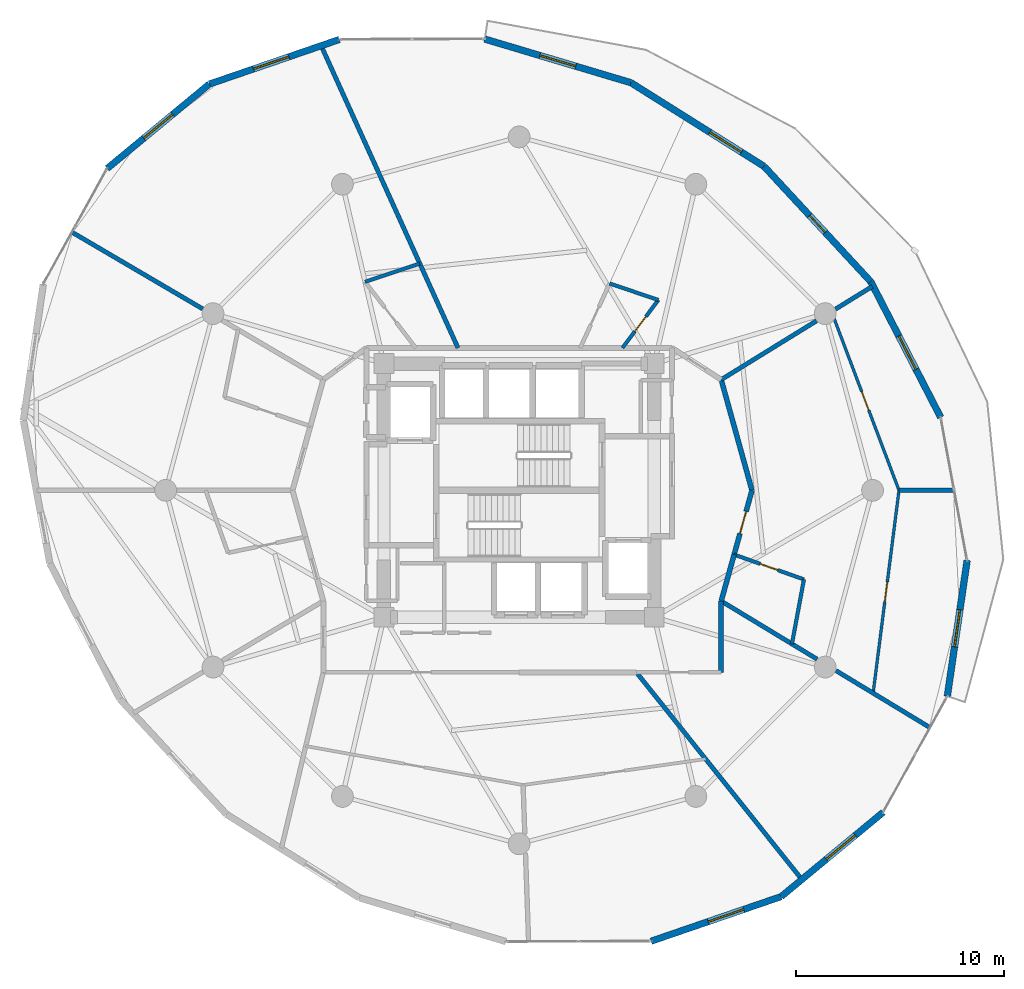
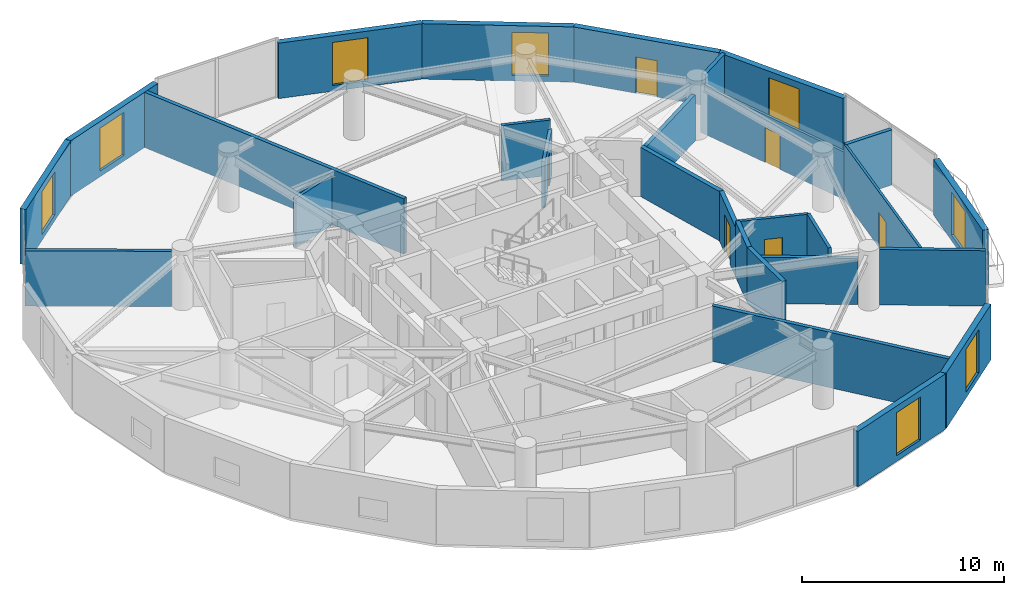
# One storey, part 18 of 21: 28 walls, 8 windows, 6 doors, 14 openings.
"""IFC4 building model written with IfcOpenShell, lengths in metres."""

from ifc_helpers import new_model, si_unit, direction, frame, frame_2d, origin, place, context, subcontext, project, spatial, rectangle, extrude, material, layer, layer_set, type_object, element, fill, save


model = new_model("IFC4")

# Units and contexts
model_context = context("Model", 3, precision=1e-05, world=origin(), true_north=direction((0.0, 1.0)))
body_context = subcontext(model_context, "Body", "Model", "MODEL_VIEW")
ifc_project = project(units=[si_unit("LENGTHUNIT", "METRE"), si_unit("AREAUNIT", "SQUARE_METRE"), si_unit("VOLUMEUNIT", "CUBIC_METRE"), si_unit("PLANEANGLEUNIT", "RADIAN"), si_unit("MASSUNIT", "GRAM", prefix="KILO")], contexts=[model_context])

# Site, building, storey
site_placement = place(None, origin())
site = spatial("IfcSite", under=ifc_project, at=site_placement, CompositionType="ELEMENT")
building_placement = place(site_placement, origin())
building = spatial("IfcBuilding", under=site, at=building_placement, Name="Solvirekh Grand Hotel", CompositionType="ELEMENT")
storey_placement = place(building_placement, frame((0.0, 0.0, 131.39990234375)))
storey = spatial("IfcBuildingStorey", under=building, at=storey_placement, Name="L33", CompositionType="ELEMENT", Elevation=131.39990234375)

# Wall, opening, window
ifc_material_1 = material(Name="Precast concrete C45/55", Category="concrete")
ifc_layer_1 = layer(ifc_material_1, 0.320068359375)
ifc_layer_set_1 = layer_set([ifc_layer_1], Name="Precast concrete C45/55")
wall_type_1 = type_object("IfcWallType", Name="ExtLobbyWall_RC320", PredefinedType="SOLIDWALL", material=ifc_layer_set_1)
wall_1_placement = place(storey_placement, frame((21.549072265625, -3.365966796875, 0.0), z_axis=(0.0, 0.0, 1.0), x_axis=(-0.144273756633, -0.989537812894, 0.0)))
wall_1 = element("IfcWall", 1, at=wall_1_placement, inside=storey, type_object=wall_type_1, Name="L33 exterior structural wall chord 2", PredefinedType="SOLIDWALL", context=body_context, shape_type="SweptSolid", body=[
    extrude(rectangle(XDim=6.613037109375, YDim=0.320068359375, at=frame_2d((3.306640625, 0.0))), origin(), (0.0, 0.0, 1.0), 3.35009765625),
])
opening_1_placement = place(wall_1_placement, frame((2.406982421875, 0.0, 0.35009765625)))
opening_1 = element("IfcOpeningElement", 2, at=opening_1_placement, cuts=wall_1, Name="Opening W02", PredefinedType="OPENING", context=body_context, shape_type="SweptSolid", body=[
    extrude(rectangle(XDim=1.800048828125, YDim=2.60009765625, at=frame_2d((0.89990234375, 1.300048828125))), frame((0.0, 0.169921875, 0.0), z_axis=(0.0, -1.0, 0.0), x_axis=(1.0, 0.0, 0.0)), (0.0, 0.0, 1.0), 0.340087890625),
])
ifc_material_2 = material(Name="Low-E Tinted Bronze Laminated Glass", Category="aluminium")
window_type = type_object("IfcWindowType", Name="Win_LobbyExt_1800X2600", PartitioningType="SINGLE_PANEL", PredefinedType="WINDOW", material=ifc_material_2)
window_1_placement = place(opening_1_placement, origin())
window_1 = element("IfcWindow", 3, at=window_1_placement, inside=storey, type_object=window_type, Name="L33 panoramic bronze-framed window 2", OverallHeight=2.60009765625, OverallWidth=1.800048828125, PartitioningType="SINGLE_PANEL", PredefinedType="WINDOW", context=body_context, shape_type="SweptSolid", body=[
    extrude(rectangle(XDim=1.800048828125, YDim=2.60009765625, at=frame_2d((0.89990234375, 1.300048828125))), frame((0.0, 0.030029296875, 0.0), z_axis=(0.0, -1.0, 0.0), x_axis=(1.0, 0.0, 0.0)), (0.0, 0.0, 1.0), 0.06005859375),
])
fill(opening_1, window_1)

wall_2_placement = place(storey_placement, frame((16.9140625, 10.037109375, 0.0), z_axis=(0.0, 0.0, 1.0), x_axis=(0.458173043938, -0.888863016335, 0.0)))
wall_2 = element("IfcWall", 4, at=wall_2_placement, inside=storey, type_object=wall_type_1, Name="L33 exterior structural wall chord 4", PredefinedType="SOLIDWALL", context=body_context, shape_type="SweptSolid", body=[
    extrude(rectangle(XDim=7.346435546875, YDim=0.320068359375, at=frame_2d((3.67333984375, 0.0))), origin(), (0.0, 0.0, 1.0), 3.35009765625),
])
opening_2_placement = place(wall_2_placement, frame((2.94189453125, 0.0, 0.35009765625)))
opening_2 = element("IfcOpeningElement", 5, at=opening_2_placement, cuts=wall_2, Name="Opening W02", PredefinedType="OPENING", context=body_context, shape_type="SweptSolid", body=[
    extrude(rectangle(XDim=1.800048828125, YDim=2.60009765625, at=frame_2d((0.89990234375, 1.300048828125))), frame((0.0, 0.169921875, 0.0), z_axis=(0.0, -1.0, 0.0), x_axis=(1.0, 0.0, 0.0)), (0.0, 0.0, 1.0), 0.340087890625),
])
window_2_placement = place(opening_2_placement, origin())
window_2 = element("IfcWindow", 6, at=window_2_placement, inside=storey, type_object=window_type, Name="L33 panoramic bronze-framed window 4", OverallHeight=2.60009765625, OverallWidth=1.800048828125, PartitioningType="SINGLE_PANEL", PredefinedType="WINDOW", context=body_context, shape_type="SweptSolid", body=[
    extrude(rectangle(XDim=1.800048828125, YDim=2.60009765625, at=frame_2d((0.89990234375, 1.300048828125))), frame((0.0, 0.030029296875, 0.0), z_axis=(0.0, -1.0, 0.0), x_axis=(1.0, 0.0, 0.0)), (0.0, 0.0, 1.0), 0.06005859375),
])
fill(opening_2, window_2)

# Wall, opening, door
wall_3_placement = place(storey_placement, frame((11.780029296875, 15.5849609375, 0.0), z_axis=(0.0, 0.0, 1.0), x_axis=(0.679203838045, -0.733949689274, 0.0)))
wall_3 = element("IfcWall", 7, at=wall_3_placement, inside=storey, type_object=wall_type_1, Name="L33 exterior structural wall chord 5", PredefinedType="SOLIDWALL", context=body_context, shape_type="SweptSolid", body=[
    extrude(rectangle(XDim=7.558837890625, YDim=0.320068359375, at=frame_2d((3.779296875, 0.0))), origin(), (0.0, 0.0, 1.0), 3.35009765625),
])
opening_3_placement = place(wall_3_placement, frame((3.22900390625, 0.0, 0.0)))
opening_3 = element("IfcOpeningElement", 8, at=opening_3_placement, cuts=wall_3, Name="Opening D03", PredefinedType="OPENING", context=body_context, shape_type="SweptSolid", body=[
    extrude(rectangle(XDim=1.10009765625, YDim=2.199951171875, at=frame_2d((0.550048828125, 1.10009765625))), frame((0.0, 0.169921875, 0.0), z_axis=(0.0, -1.0, 0.0), x_axis=(1.0, 0.0, 0.0)), (0.0, 0.0, 1.0), 0.340087890625),
])
ifc_material_3 = material(Name="Anodized Bronze Aluminium 6063-T6", Category="aluminium")
door_type_1 = type_object("IfcDoorType", Name="Door_ExtBalcony_1100X2200", OperationType="NOTDEFINED", PredefinedType="DOOR", material=ifc_material_3)
door_1_placement = place(opening_3_placement, origin())
door_1 = element("IfcDoor", 9, at=door_1_placement, inside=storey, type_object=door_type_1, Name="L33 Crescent balcony glazed door (5)", OperationType="SINGLE_SWING_RIGHT", OverallHeight=2.199951171875, OverallWidth=1.10009765625, PredefinedType="DOOR", context=body_context, shape_type="SweptSolid", body=[
    extrude(rectangle(XDim=1.10009765625, YDim=2.199951171875, at=frame_2d((0.550048828125, 1.10009765625))), frame((0.0, 0.02490234375, 0.0), z_axis=(0.0, -1.0, 0.0), x_axis=(1.0, 0.0, 0.0)), (0.0, 0.0, 1.0), 0.050048828125),
])
fill(opening_3, door_1)

# Wall, opening, window
wall_4_placement = place(storey_placement, frame((5.37890625, 19.60693359375, 0.0), z_axis=(0.0, 0.0, 1.0), x_axis=(0.84673132195, -0.5320207406, 0.0)))
wall_4 = element("IfcWall", 10, at=wall_4_placement, inside=storey, type_object=wall_type_1, Name="L33 exterior structural wall chord 6", PredefinedType="SOLIDWALL", context=body_context, shape_type="SweptSolid", body=[
    extrude(rectangle(XDim=7.559814453125, YDim=0.320068359375, at=frame_2d((3.77978515625, 0.0))), origin(), (0.0, 0.0, 1.0), 3.35009765625),
])
opening_4_placement = place(wall_4_placement, frame((4.47900390625, 0.0, 0.35009765625)))
opening_4 = element("IfcOpeningElement", 11, at=opening_4_placement, cuts=wall_4, Name="Opening W02", PredefinedType="OPENING", context=body_context, shape_type="SweptSolid", body=[
    extrude(rectangle(XDim=1.800048828125, YDim=2.60009765625, at=frame_2d((0.89990234375, 1.300048828125))), frame((0.0, 0.169921875, 0.0), z_axis=(0.0, -1.0, 0.0), x_axis=(1.0, 0.0, 0.0)), (0.0, 0.0, 1.0), 0.340087890625),
])
window_3_placement = place(opening_4_placement, origin())
window_3 = element("IfcWindow", 12, at=window_3_placement, inside=storey, type_object=window_type, Name="L33 panoramic bronze-framed window 6", OverallHeight=2.60009765625, OverallWidth=1.800048828125, PartitioningType="SINGLE_PANEL", PredefinedType="WINDOW", context=body_context, shape_type="SweptSolid", body=[
    extrude(rectangle(XDim=1.800048828125, YDim=2.60009765625, at=frame_2d((0.89990234375, 1.300048828125))), frame((0.0, 0.030029296875, 0.0), z_axis=(0.0, -1.0, 0.0), x_axis=(1.0, 0.0, 0.0)), (0.0, 0.0, 1.0), 0.06005859375),
])
fill(opening_4, window_3)

wall_5_placement = place(storey_placement, frame((-1.659912109375, 21.708984375, 0.0), z_axis=(0.0, 0.0, 1.0), x_axis=(0.958185017538, -0.286149387847, 0.0)))
wall_5 = element("IfcWall", 13, at=wall_5_placement, inside=storey, type_object=wall_type_1, Name="L33 exterior structural wall chord 7", PredefinedType="SOLIDWALL", context=body_context, shape_type="SweptSolid", body=[
    extrude(rectangle(XDim=7.345947265625, YDim=0.320068359375, at=frame_2d((3.6728515625, 0.0))), origin(), (0.0, 0.0, 1.0), 3.35009765625),
])
opening_5_placement = place(wall_5_placement, frame((2.77294921875, 0.0, 0.35009765625)))
opening_5 = element("IfcOpeningElement", 14, at=opening_5_placement, cuts=wall_5, Name="Opening W02", PredefinedType="OPENING", context=body_context, shape_type="SweptSolid", body=[
    extrude(rectangle(XDim=1.800048828125, YDim=2.60009765625, at=frame_2d((0.89990234375, 1.300048828125))), frame((0.0, 0.169921875, 0.0), z_axis=(0.0, -1.0, 0.0), x_axis=(1.0, 0.0, 0.0)), (0.0, 0.0, 1.0), 0.340087890625),
])
window_4_placement = place(opening_5_placement, origin())
window_4 = element("IfcWindow", 15, at=window_4_placement, inside=storey, type_object=window_type, Name="L33 panoramic bronze-framed window 7", OverallHeight=2.60009765625, OverallWidth=1.800048828125, PartitioningType="SINGLE_PANEL", PredefinedType="WINDOW", context=body_context, shape_type="SweptSolid", body=[
    extrude(rectangle(XDim=1.800048828125, YDim=2.60009765625, at=frame_2d((0.89990234375, 1.300048828125))), frame((0.0, 0.030029296875, 0.0), z_axis=(0.0, -1.0, 0.0), x_axis=(1.0, 0.0, 0.0)), (0.0, 0.0, 1.0), 0.06005859375),
])
fill(opening_5, window_4)

wall_6_placement = place(storey_placement, frame((-14.904052734375, 19.5419921875, 0.0), z_axis=(0.0, 0.0, 1.0), x_axis=(0.945927174226, 0.324379070011, 0.0)))
wall_6 = element("IfcWall", 16, at=wall_6_placement, inside=storey, type_object=wall_type_1, Name="L33 exterior structural wall chord 9", PredefinedType="SOLIDWALL", context=body_context, shape_type="SweptSolid", body=[
    extrude(rectangle(XDim=6.61279296875, YDim=0.320068359375, at=frame_2d((3.306396484375, 0.0))), origin(), (0.0, 0.0, 1.0), 3.35009765625),
])
opening_6_placement = place(wall_6_placement, frame((2.2509765625, 0.0, 0.35009765625)))
opening_6 = element("IfcOpeningElement", 17, at=opening_6_placement, cuts=wall_6, Name="Opening W02", PredefinedType="OPENING", context=body_context, shape_type="SweptSolid", body=[
    extrude(rectangle(XDim=1.800048828125, YDim=2.60009765625, at=frame_2d((0.89990234375, 1.300048828125))), frame((0.0, 0.169921875, 0.0), z_axis=(0.0, -1.0, 0.0), x_axis=(1.0, 0.0, 0.0)), (0.0, 0.0, 1.0), 0.340087890625),
])
window_5_placement = place(opening_6_placement, origin())
window_5 = element("IfcWindow", 18, at=window_5_placement, inside=storey, type_object=window_type, Name="L33 panoramic bronze-framed window 9", OverallHeight=2.60009765625, OverallWidth=1.800048828125, PartitioningType="SINGLE_PANEL", PredefinedType="WINDOW", context=body_context, shape_type="SweptSolid", body=[
    extrude(rectangle(XDim=1.800048828125, YDim=2.60009765625, at=frame_2d((0.89990234375, 1.300048828125))), frame((0.0, 0.030029296875, 0.0), z_axis=(0.0, -1.0, 0.0), x_axis=(1.0, 0.0, 0.0)), (0.0, 0.0, 1.0), 0.06005859375),
])
fill(opening_6, window_5)

wall_7_placement = place(storey_placement, frame((-19.81298828125, 15.48388671875, 0.0), z_axis=(0.0, 0.0, 1.0), x_axis=(0.770738302789, 0.637151841098, 0.0)))
wall_7 = element("IfcWall", 19, at=wall_7_placement, inside=storey, type_object=wall_type_1, Name="L33 exterior structural wall chord 10", PredefinedType="SOLIDWALL", context=body_context, shape_type="SweptSolid", body=[
    extrude(rectangle(XDim=6.369140625, YDim=0.320068359375, at=frame_2d((3.1845703125, 0.0))), origin(), (0.0, 0.0, 1.0), 3.35009765625),
])
opening_7_placement = place(wall_7_placement, frame((2.284912109375, 0.0, 0.35009765625)))
opening_7 = element("IfcOpeningElement", 20, at=opening_7_placement, cuts=wall_7, Name="Opening W02", PredefinedType="OPENING", context=body_context, shape_type="SweptSolid", body=[
    extrude(rectangle(XDim=1.800048828125, YDim=2.60009765625, at=frame_2d((0.89990234375, 1.300048828125))), frame((0.0, 0.169921875, 0.0), z_axis=(0.0, -1.0, 0.0), x_axis=(1.0, 0.0, 0.0)), (0.0, 0.0, 1.0), 0.340087890625),
])
window_6_placement = place(opening_7_placement, origin())
window_6 = element("IfcWindow", 21, at=window_6_placement, inside=storey, type_object=window_type, Name="L33 panoramic bronze-framed window 10", OverallHeight=2.60009765625, OverallWidth=1.800048828125, PartitioningType="SINGLE_PANEL", PredefinedType="WINDOW", context=body_context, shape_type="SweptSolid", body=[
    extrude(rectangle(XDim=1.800048828125, YDim=2.60009765625, at=frame_2d((0.89990234375, 1.300048828125))), frame((0.0, 0.030029296875, 0.0), z_axis=(0.0, -1.0, 0.0), x_axis=(1.0, 0.0, 0.0)), (0.0, 0.0, 1.0), 0.06005859375),
])
fill(opening_7, window_6)

wall_8_placement = place(storey_placement, frame((12.60400390625, -19.5419921875, 0.0), z_axis=(0.0, 0.0, 1.0), x_axis=(-0.945923289235, -0.324390398877, 0.0)))
wall_8 = element("IfcWall", 22, at=wall_8_placement, inside=storey, type_object=wall_type_1, Name="L33 exterior structural wall chord 19", PredefinedType="SOLIDWALL", context=body_context, shape_type="SweptSolid", body=[
    extrude(rectangle(XDim=6.612548828125, YDim=0.320068359375, at=frame_2d((3.30615234375, 0.0))), origin(), (0.0, 0.0, 1.0), 3.35009765625),
])
opening_8_placement = place(wall_8_placement, frame((1.906005859375, 0.0, 0.35009765625)))
opening_8 = element("IfcOpeningElement", 23, at=opening_8_placement, cuts=wall_8, Name="Opening W02", PredefinedType="OPENING", context=body_context, shape_type="SweptSolid", body=[
    extrude(rectangle(XDim=1.800048828125, YDim=2.60009765625, at=frame_2d((0.89990234375, 1.300048828125))), frame((0.0, 0.169921875, 0.0), z_axis=(0.0, -1.0, 0.0), x_axis=(1.0, 0.0, 0.0)), (0.0, 0.0, 1.0), 0.340087890625),
])
window_7_placement = place(opening_8_placement, origin())
window_7 = element("IfcWindow", 24, at=window_7_placement, inside=storey, type_object=window_type, Name="L33 panoramic bronze-framed window 19", OverallHeight=2.60009765625, OverallWidth=1.800048828125, PartitioningType="SINGLE_PANEL", PredefinedType="WINDOW", context=body_context, shape_type="SweptSolid", body=[
    extrude(rectangle(XDim=1.800048828125, YDim=2.60009765625, at=frame_2d((0.89990234375, 1.300048828125))), frame((0.0, 0.030029296875, 0.0), z_axis=(0.0, -1.0, 0.0), x_axis=(1.0, 0.0, 0.0)), (0.0, 0.0, 1.0), 0.06005859375),
])
fill(opening_8, window_7)

wall_9_placement = place(storey_placement, frame((17.512939453125, -15.48388671875, 0.0), z_axis=(0.0, 0.0, 1.0), x_axis=(-0.770738302789, -0.637151841098, 0.0)))
wall_9 = element("IfcWall", 25, at=wall_9_placement, inside=storey, type_object=wall_type_1, Name="L33 exterior structural wall chord 20", PredefinedType="SOLIDWALL", context=body_context, shape_type="SweptSolid", body=[
    extrude(rectangle(XDim=6.369140625, YDim=0.320068359375, at=frame_2d((3.1845703125, 0.0))), origin(), (0.0, 0.0, 1.0), 3.35009765625),
])
opening_9_placement = place(wall_9_placement, frame((1.7470703125, 0.0, 0.35009765625)))
opening_9 = element("IfcOpeningElement", 26, at=opening_9_placement, cuts=wall_9, Name="Opening W02", PredefinedType="OPENING", context=body_context, shape_type="SweptSolid", body=[
    extrude(rectangle(XDim=1.800048828125, YDim=2.60009765625, at=frame_2d((0.89990234375, 1.300048828125))), frame((0.0, 0.169921875, 0.0), z_axis=(0.0, -1.0, 0.0), x_axis=(1.0, 0.0, 0.0)), (0.0, 0.0, 1.0), 0.340087890625),
])
window_8_placement = place(opening_9_placement, origin())
window_8 = element("IfcWindow", 27, at=window_8_placement, inside=storey, type_object=window_type, Name="L33 panoramic bronze-framed window 20", OverallHeight=2.60009765625, OverallWidth=1.800048828125, PartitioningType="SINGLE_PANEL", PredefinedType="WINDOW", context=body_context, shape_type="SweptSolid", body=[
    extrude(rectangle(XDim=1.800048828125, YDim=2.60009765625, at=frame_2d((0.89990234375, 1.300048828125))), frame((0.0, 0.030029296875, 0.0), z_axis=(0.0, -1.0, 0.0), x_axis=(1.0, 0.0, 0.0)), (0.0, 0.0, 1.0), 0.06005859375),
])
fill(opening_9, window_8)

# Walls
ifc_material_4 = material(Name="Acoustic Gypsum Partition Assembly")
ifc_layer_2 = layer(ifc_material_4, 0.239990234375)
ifc_layer_set_2 = layer_set([ifc_layer_2], Name="Acoustic Gypsum Partition Assembly")
wall_type_2 = type_object("IfcWallType", Name="Part_Corridor_240", PredefinedType="PARTITIONING", material=ifc_layer_set_2)
wall_10_placement = place(storey_placement, frame((9.719970703125, -5.324951171875, 0.0), z_axis=(0.0, 0.0, 1.0), x_axis=(0.268045342481, 0.963406297662, 0.0)))
element("IfcWall", 28, at=wall_10_placement, inside=storey, type_object=wall_type_2, Name="L33 En-suite Bathroom 3505 corridor backing wall", PredefinedType="PARTITIONING", context=body_context, shape_type="SweptSolid", body=[
    extrude(rectangle(XDim=2.32080078125, YDim=0.239990234375, at=frame_2d((1.160400390625, 0.0))), origin(), (0.0, 0.0, 1.0), 3.35009765625),
])
wall_11_placement = place(storey_placement, frame((11.199951171875, 0.0, 0.0), z_axis=(0.0, 0.0, 1.0), x_axis=(-0.267782838254, 0.963479294815, 0.0)))
element("IfcWall", 29, at=wall_11_placement, inside=storey, type_object=wall_type_2, Name="L33 Executive Suite 3505 Living Room corridor wall 1", PredefinedType="PARTITIONING", context=body_context, shape_type="SweptSolid", body=[
    extrude(rectangle(XDim=5.52685546875, YDim=0.239990234375, at=frame_2d((2.763427734375, 0.0))), origin(), (0.0, 0.0, 1.0), 2.985107421875),
])

# Wall, opening, door
wall_12_placement = place(storey_placement, frame((10.342041015625, -3.089111328125, 0.0), z_axis=(0.0, 0.0, 1.0), x_axis=(0.267592805492, 0.963532091032, 0.0)))
wall_12 = element("IfcWall", 30, at=wall_12_placement, inside=storey, type_object=wall_type_2, Name="L33 Executive Suite 3505 Living Room entrance wall", PredefinedType="PARTITIONING", context=body_context, shape_type="SweptSolid", body=[
    extrude(rectangle(XDim=3.2060546875, YDim=0.239990234375, at=frame_2d((1.60302734375, 0.0))), origin(), (0.0, 0.0, 1.0), 2.985107421875),
])
opening_10_placement = place(wall_12_placement, frame((1.052978515625, 0.0, 0.0)))
opening_10 = element("IfcOpeningElement", 31, at=opening_10_placement, cuts=wall_12, Name="Opening D08", PredefinedType="OPENING", context=body_context, shape_type="SweptSolid", body=[
    extrude(rectangle(XDim=1.10009765625, YDim=2.300048828125, at=frame_2d((0.550048828125, 1.14990234375))), frame((0.0, 0.1298828125, 0.0), z_axis=(0.0, -1.0, 0.0), x_axis=(1.0, 0.0, 0.0)), (0.0, 0.0, 1.0), 0.260009765625),
])
ifc_material_5 = material(Name="Fire-Rated Steel Door Assembly", Category="steel")
door_type_2 = type_object("IfcDoorType", Name="Door_SuiteEntry_1100X2300", OperationType="NOTDEFINED", PredefinedType="DOOR", material=ifc_material_5)
door_2_placement = place(opening_10_placement, origin())
door_2 = element("IfcDoor", 32, at=door_2_placement, inside=storey, type_object=door_type_2, Name="L33 Executive Suite 3505 Living Room entrance door", OperationType="SINGLE_SWING_RIGHT", OverallHeight=2.300048828125, OverallWidth=1.10009765625, PredefinedType="DOOR", context=body_context, shape_type="SweptSolid", body=[
    extrude(rectangle(XDim=1.10009765625, YDim=2.300048828125, at=frame_2d((0.550048828125, 1.14990234375))), frame((0.0, 0.02490234375, 0.0), z_axis=(0.0, -1.0, 0.0), x_axis=(1.0, 0.0, 0.0)), (0.0, 0.0, 1.0), 0.050048828125),
])
fill(opening_10, door_2)

# Wall
wall_13_placement = place(storey_placement, frame((9.719970703125, -8.75, 0.0), z_axis=(0.0, 0.0, 1.0), x_axis=(0.0, 1.0, 0.0)))
element("IfcWall", 33, at=wall_13_placement, inside=storey, type_object=wall_type_2, Name="L33 L33 Butler Valet & Linen Steward Room corridor wall 1", PredefinedType="PARTITIONING", context=body_context, shape_type="SweptSolid", body=[
    extrude(rectangle(XDim=3.425048828125, YDim=0.239990234375, at=frame_2d((1.71240234375, 0.0))), origin(), (0.0, 0.0, 1.0), 3.35009765625),
])

# Wall, opening, door
ifc_layer_3 = layer(ifc_material_4, 0.135009765625)
ifc_layer_set_3 = layer_set([ifc_layer_3], Name="Acoustic Gypsum Partition Assembly")
wall_type_3 = type_object("IfcWallType", Name="Part_RoomInt_135", PredefinedType="PARTITIONING", material=ifc_layer_set_3)
wall_14_placement = place(storey_placement, frame((17.027099609375, -9.7529296875, 0.0), z_axis=(0.0, 0.0, 1.0), x_axis=(0.126613692023, 0.991952102166, 0.0)))
wall_14 = element("IfcWall", 34, at=wall_14_placement, inside=storey, type_object=wall_type_3, Name="L33 Executive Suite 3505 Living Room bedroom screen wall", PredefinedType="PARTITIONING", context=body_context, shape_type="SweptSolid", body=[
    extrude(rectangle(XDim=9.83203125, YDim=0.135009765625, at=frame_2d((4.916015625, 0.0))), origin(), (0.0, 0.0, 1.0), 3.35009765625),
])
opening_11_placement = place(wall_14_placement, frame((4.44091796875, 0.0, 0.0)))
opening_11 = element("IfcOpeningElement", 35, at=opening_11_placement, cuts=wall_14, Name="Opening D10", PredefinedType="OPENING", context=body_context, shape_type="SweptSolid", body=[
    extrude(rectangle(XDim=0.949951171875, YDim=2.10009765625, at=frame_2d((0.47509765625, 1.050048828125))), frame((0.0, 0.07763671875, 0.0), z_axis=(0.0, -1.0, 0.0), x_axis=(1.0, 0.0, 0.0)), (0.0, 0.0, 1.0), 0.155029296875),
])
door_type_3 = type_object("IfcDoorType", Name="Door_RoomInt_950X2100", OperationType="NOTDEFINED", PredefinedType="DOOR", material=ifc_material_3)
door_3_placement = place(opening_11_placement, origin())
door_3 = element("IfcDoor", 36, at=door_3_placement, inside=storey, type_object=door_type_3, Name="L33 Executive Suite 3505 Living Room master bedroom door", OperationType="SINGLE_SWING_LEFT", OverallHeight=2.10009765625, OverallWidth=0.949951171875, PredefinedType="DOOR", context=body_context, shape_type="SweptSolid", body=[
    extrude(rectangle(XDim=0.949951171875, YDim=2.10009765625, at=frame_2d((0.47509765625, 1.050048828125))), frame((0.0, 0.02490234375, 0.0), z_axis=(0.0, -1.0, 0.0), x_axis=(1.0, 0.0, 0.0)), (0.0, 0.0, 1.0), 0.050048828125),
])
fill(opening_11, door_3)

wall_15_placement = place(storey_placement, frame((18.27197265625, 0.0, 0.0), z_axis=(0.0, 0.0, 1.0), x_axis=(-0.353302931562, 0.935508972993, 0.0)))
wall_15 = element("IfcWall", 37, at=wall_15_placement, inside=storey, type_object=wall_type_3, Name="L33 Executive Suite 3505 Panorama Suite Study bedroom screen wall", PredefinedType="PARTITIONING", context=body_context, shape_type="SweptSolid", body=[
    extrude(rectangle(XDim=9.190673828125, YDim=0.135009765625, at=frame_2d((4.59521484375, 0.0))), origin(), (0.0, 0.0, 1.0), 2.878173828125),
])
opening_12_placement = place(wall_15_placement, frame((4.1201171875, 0.0, 0.0)))
opening_12 = element("IfcOpeningElement", 38, at=opening_12_placement, cuts=wall_15, Name="Opening D10", PredefinedType="OPENING", context=body_context, shape_type="SweptSolid", body=[
    extrude(rectangle(XDim=0.949951171875, YDim=2.10009765625, at=frame_2d((0.47509765625, 1.050048828125))), frame((0.0, 0.07763671875, 0.0), z_axis=(0.0, -1.0, 0.0), x_axis=(1.0, 0.0, 0.0)), (0.0, 0.0, 1.0), 0.155029296875),
])
door_4_placement = place(opening_12_placement, origin())
door_4 = element("IfcDoor", 39, at=door_4_placement, inside=storey, type_object=door_type_3, Name="L33 Executive Suite 3505 Panorama Suite Study master bedroom door", OperationType="SINGLE_SWING_RIGHT", OverallHeight=2.10009765625, OverallWidth=0.949951171875, PredefinedType="DOOR", context=body_context, shape_type="SweptSolid", body=[
    extrude(rectangle(XDim=0.949951171875, YDim=2.10009765625, at=frame_2d((0.47509765625, 1.050048828125))), frame((0.0, 0.02490234375, 0.0), z_axis=(0.0, -1.0, 0.0), x_axis=(1.0, 0.0, 0.0)), (0.0, 0.0, 1.0), 0.050048828125),
])
fill(opening_12, door_4)

# Walls
ifc_layer_4 = layer(ifc_material_4, 0.2099609375)
ifc_layer_set_4 = layer_set([ifc_layer_4], Name="Acoustic Gypsum Partition Assembly")
wall_type_4 = type_object("IfcWallType", Name="Part_SuiteDemise_210", PredefinedType="PARTITIONING", material=ifc_layer_set_4)
wall_16_placement = place(storey_placement, frame((9.719970703125, 5.324951171875, 0.0), z_axis=(0.0, 0.0, 1.0), x_axis=(0.851091187082, 0.525017896144, 0.0)))
element("IfcWall", 40, at=wall_16_placement, inside=storey, type_object=wall_type_4, Name="L33 suite radial wall 2 (A)", PredefinedType="PARTITIONING", context=body_context, shape_type="SweptSolid", body=[
    extrude(rectangle(XDim=5.384765625, YDim=0.2099609375, at=frame_2d((2.6923828125, 0.0))), origin(), (0.0, 0.0, 1.0), 2.791015625),
])
wall_17_placement = place(storey_placement, frame((15.220947265625, 8.718994140625, 0.0), z_axis=(0.0, 0.0, 1.0), x_axis=(0.851169117453, 0.524891544506, 0.0)))
element("IfcWall", 41, at=wall_17_placement, inside=storey, type_object=wall_type_4, Name="L33 suite radial wall 2 (B)", PredefinedType="PARTITIONING", context=body_context, shape_type="SweptSolid", body=[
    extrude(rectangle(XDim=2.074951171875, YDim=0.2099609375, at=frame_2d((1.03759765625, 0.0))), origin(), (0.0, 0.0, 1.0), 3.35009765625),
])
wall_18_placement = place(storey_placement, frame((-15.218017578125, 8.72705078125, 0.0), z_axis=(0.0, 0.0, 1.0), x_axis=(-0.862485729763, 0.50608138274, 0.0)))
element("IfcWall", 42, at=wall_18_placement, inside=storey, type_object=wall_type_4, Name="L33 suite radial wall 6 (B)", PredefinedType="PARTITIONING", context=body_context, shape_type="SweptSolid", body=[
    extrude(rectangle(XDim=7.253662109375, YDim=0.2099609375, at=frame_2d((3.626953125, 0.0))), origin(), (0.0, 0.0, 1.0), 3.35009765625),
])
wall_19_placement = place(storey_placement, frame((9.719970703125, -5.324951171875, 0.0), z_axis=(0.0, 0.0, 1.0), x_axis=(0.855199655735, -0.518298706183, 0.0)))
element("IfcWall", 43, at=wall_19_placement, inside=storey, type_object=wall_type_4, Name="L33 suite radial wall 12 (A)", PredefinedType="PARTITIONING", context=body_context, shape_type="SweptSolid", body=[
    extrude(rectangle(XDim=5.39306640625, YDim=0.2099609375, at=frame_2d((2.696533203125, 0.0))), origin(), (0.0, 0.0, 1.0), 2.791015625),
])
wall_20_placement = place(storey_placement, frame((15.239990234375, -8.669921875, 0.0), z_axis=(0.0, 0.0, 1.0), x_axis=(0.855199080738, -0.518299654935, 0.0)))
element("IfcWall", 44, at=wall_20_placement, inside=storey, type_object=wall_type_4, Name="L33 suite radial wall 12 (B)", PredefinedType="PARTITIONING", context=body_context, shape_type="SweptSolid", body=[
    extrude(rectangle(XDim=5.250244140625, YDim=0.2099609375, at=frame_2d((2.625, 0.0))), origin(), (0.0, 0.0, 1.0), 3.35009765625),
])
wall_21_placement = place(storey_placement, frame((-2.93994140625, 6.85009765625, 0.0), z_axis=(0.0, 0.0, 1.0), x_axis=(-0.412490983748, 0.910961683238, 0.0)))
element("IfcWall", 45, at=wall_21_placement, inside=storey, type_object=wall_type_4, Name="L33 Panorama Suite 3501 North Observatory Study dividing partition 1", PredefinedType="PARTITIONING", context=body_context, shape_type="SweptSolid", body=[
    extrude(rectangle(XDim=15.918212890625, YDim=0.2099609375, at=frame_2d((7.958984375, 0.0))), origin(), (0.0, 0.0, 1.0), 3.35009765625),
])
wall_22_placement = place(storey_placement, frame((18.27197265625, 0.0, 0.0), z_axis=(0.0, 0.0, 1.0), x_axis=(1.0, 0.0, 0.0)))
element("IfcWall", 46, at=wall_22_placement, inside=storey, type_object=wall_type_4, Name="L33 Executive Suite 3505 Living Room dividing partition 1", PredefinedType="PARTITIONING", context=body_context, shape_type="SweptSolid", body=[
    extrude(rectangle(XDim=2.615966796875, YDim=0.2099609375, at=frame_2d((1.30810546875, 0.0))), origin(), (0.0, 0.0, 1.0), 3.35009765625),
])
wall_23_placement = place(storey_placement, frame((5.637939453125, -8.75, 0.0), z_axis=(0.0, 0.0, 1.0), x_axis=(0.624175182261, -0.781284418025, 0.0)))
element("IfcWall", 47, at=wall_23_placement, inside=storey, type_object=wall_type_4, Name="L33 L33 Private Media Lounge dividing partition 1", PredefinedType="PARTITIONING", context=body_context, shape_type="SweptSolid", body=[
    extrude(rectangle(XDim=12.717529296875, YDim=0.2099609375, at=frame_2d((6.35888671875, 0.0))), origin(), (0.0, 0.0, 1.0), 3.35009765625),
])
ifc_layer_5 = layer(ifc_material_4, 0.175048828125)
ifc_layer_set_5 = layer_set([ifc_layer_5], Name="Acoustic Gypsum Partition Assembly")
wall_type_5 = type_object("IfcWallType", Name="Plumb_Ensuite_175", PredefinedType="PLUMBINGWALL", material=ifc_layer_set_5)
wall_24_placement = place(storey_placement, frame((4.35107421875, 9.950927734375, 0.0), z_axis=(0.0, 0.0, 1.0), x_axis=(0.947023172819, -0.321165238069, 0.0)))
element("IfcWall", 48, at=wall_24_placement, inside=storey, type_object=wall_type_5, Name="L33 En-suite Bathroom 3501 outer plumbing wall", PredefinedType="PLUMBINGWALL", context=body_context, shape_type="SweptSolid", body=[
    extrude(rectangle(XDim=2.47509765625, YDim=0.175048828125, at=frame_2d((1.237548828125, 0.0))), origin(), (0.0, 0.0, 1.0), 3.35009765625),
])

# Wall, opening, door
wall_25_placement = place(storey_placement, frame((4.968994140625, 6.85009765625, 0.0), z_axis=(0.0, 0.0, 1.0), x_axis=(0.599253850401, 0.800559068888, 0.0)))
wall_25 = element("IfcWall", 49, at=wall_25_placement, inside=storey, type_object=wall_type_5, Name="L33 En-suite Bathroom 3501 entry plumbing wall", PredefinedType="PLUMBINGWALL", context=body_context, shape_type="SweptSolid", body=[
    extrude(rectangle(XDim=2.88037109375, YDim=0.175048828125, at=frame_2d((1.440185546875, 0.0))), origin(), (0.0, 0.0, 1.0), 2.791015625),
])
opening_13_placement = place(wall_25_placement, frame((0.989990234375, 0.0, 0.0)))
opening_13 = element("IfcOpeningElement", 50, at=opening_13_placement, cuts=wall_25, Name="Opening D09", PredefinedType="OPENING", context=body_context, shape_type="SweptSolid", body=[
    extrude(rectangle(XDim=0.89990234375, YDim=2.10009765625, at=frame_2d((0.449951171875, 1.050048828125))), frame((0.0, 0.09765625, 0.0), z_axis=(0.0, -1.0, 0.0), x_axis=(1.0, 0.0, 0.0)), (0.0, 0.0, 1.0), 0.195068359375),
])
door_type_4 = type_object("IfcDoorType", Name="Door_Ensuite_900X2100", OperationType="NOTDEFINED", PredefinedType="DOOR", material=ifc_material_3)
door_5_placement = place(opening_13_placement, origin())
door_5 = element("IfcDoor", 51, at=door_5_placement, inside=storey, type_object=door_type_4, Name="L33 En-suite Bathroom 3501 door", OperationType="SINGLE_SWING_RIGHT", OverallHeight=2.10009765625, OverallWidth=0.89990234375, PredefinedType="DOOR", context=body_context, shape_type="SweptSolid", body=[
    extrude(rectangle(XDim=0.89990234375, YDim=2.10009765625, at=frame_2d((0.449951171875, 1.050048828125))), frame((0.0, 0.02490234375, 0.0), z_axis=(0.0, -1.0, 0.0), x_axis=(1.0, 0.0, 0.0)), (0.0, 0.0, 1.0), 0.050048828125),
])
fill(opening_13, door_5)

# Walls
wall_26_placement = place(storey_placement, frame((-7.412109375, 10.032958984375, 0.0), z_axis=(0.0, 0.0, 1.0), x_axis=(0.948797559609, 0.315884774689, 0.0)))
element("IfcWall", 52, at=wall_26_placement, inside=storey, type_object=wall_type_5, Name="L33 En-suite Bathroom 3502 outer plumbing wall", PredefinedType="PLUMBINGWALL", context=body_context, shape_type="SweptSolid", body=[
    extrude(rectangle(XDim=2.776123046875, YDim=0.175048828125, at=frame_2d((1.38818359375, 0.0))), origin(), (0.0, 0.0, 1.0), 2.985107421875),
])
wall_27_placement = place(storey_placement, frame((13.123046875, -7.386962890625, 0.0), z_axis=(0.0, 0.0, 1.0), x_axis=(0.182540901641, 0.983198260387, 0.0)))
element("IfcWall", 53, at=wall_27_placement, inside=storey, type_object=wall_type_5, Name="L33 En-suite Bathroom 3505 outer plumbing wall", PredefinedType="PLUMBINGWALL", context=body_context, shape_type="SweptSolid", body=[
    extrude(rectangle(XDim=3.155029296875, YDim=0.175048828125, at=frame_2d((1.57763671875, 0.0))), origin(), (0.0, 0.0, 1.0), 3.35009765625),
])

# Wall, opening, door
wall_28_placement = place(storey_placement, frame((10.342041015625, -3.089111328125, 0.0), z_axis=(0.0, 0.0, 1.0), x_axis=(0.942017496202, -0.335563759738, 0.0)))
wall_28 = element("IfcWall", 54, at=wall_28_placement, inside=storey, type_object=wall_type_5, Name="L33 En-suite Bathroom 3505 entry plumbing wall", PredefinedType="PLUMBINGWALL", context=body_context, shape_type="SweptSolid", body=[
    extrude(rectangle(XDim=3.5634765625, YDim=0.175048828125, at=frame_2d((1.78173828125, 0.0))), origin(), (0.0, 0.0, 1.0), 3.35009765625),
])
opening_14_placement = place(wall_28_placement, frame((1.33203125, 0.0, 0.0)))
opening_14 = element("IfcOpeningElement", 55, at=opening_14_placement, cuts=wall_28, Name="Opening D09", PredefinedType="OPENING", context=body_context, shape_type="SweptSolid", body=[
    extrude(rectangle(XDim=0.89990234375, YDim=2.10009765625, at=frame_2d((0.449951171875, 1.050048828125))), frame((0.0, 0.09765625, 0.0), z_axis=(0.0, -1.0, 0.0), x_axis=(1.0, 0.0, 0.0)), (0.0, 0.0, 1.0), 0.195068359375),
])
door_6_placement = place(opening_14_placement, origin())
door_6 = element("IfcDoor", 56, at=door_6_placement, inside=storey, type_object=door_type_4, Name="L33 En-suite Bathroom 3505 door", OperationType="SINGLE_SWING_LEFT", OverallHeight=2.10009765625, OverallWidth=0.89990234375, PredefinedType="DOOR", context=body_context, shape_type="SweptSolid", body=[
    extrude(rectangle(XDim=0.89990234375, YDim=2.10009765625, at=frame_2d((0.449951171875, 1.050048828125))), frame((0.0, 0.02490234375, 0.0), z_axis=(0.0, -1.0, 0.0), x_axis=(1.0, 0.0, 0.0)), (0.0, 0.0, 1.0), 0.050048828125),
])
fill(opening_14, door_6)

save(model, "model.ifc")
